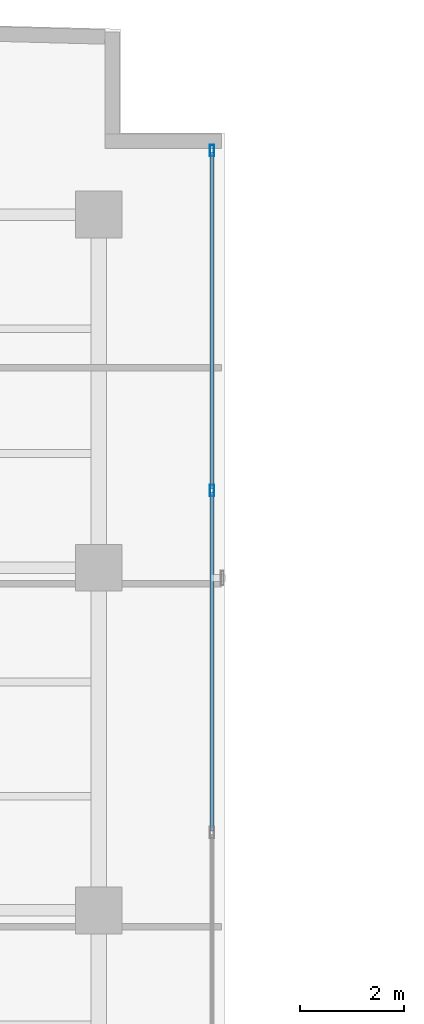
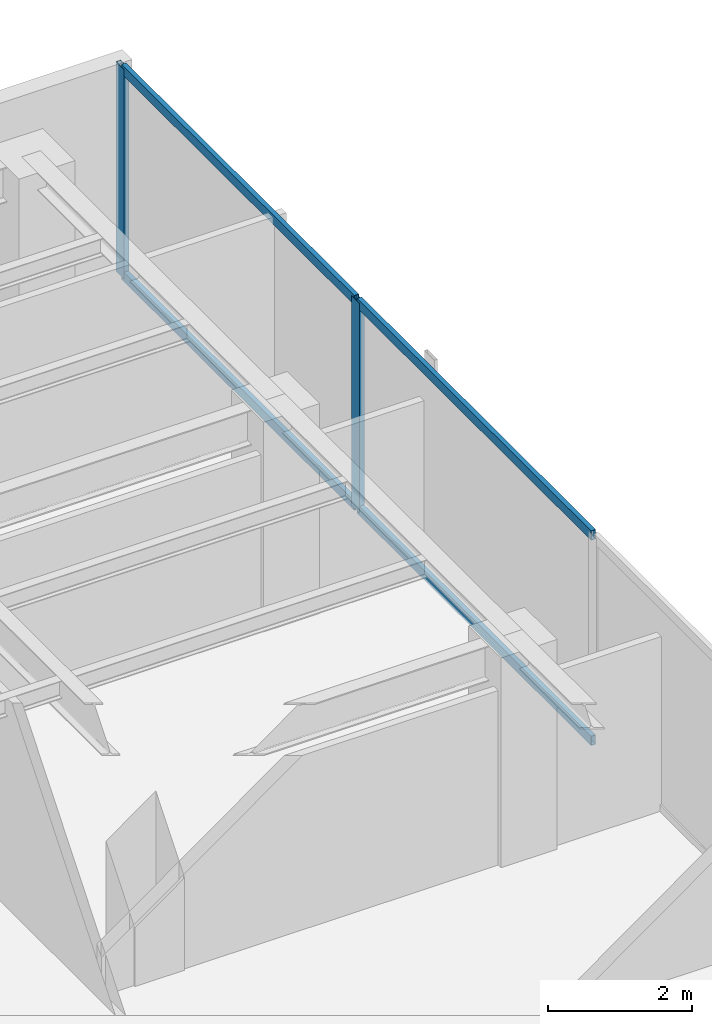
# One storey, part 15 of 22: 6 members, 1 element without a shape of its own.
"""IFC4 building model written with IfcOpenShell, lengths in metres."""

from ifc_helpers import new_model, si_unit, direction, frame, origin, origin_with_axes, origin_2d, place, context, subcontext, project, spatial, hollow_rectangle, extrude, source, transform, mapped, material, layer, layer_set, material_profile, profile_set, type_object, element, aggregate, save


model = new_model("IFC4")

# Units and contexts
model_context = context("Model", 3, precision=1e-05, world=origin(), true_north=direction((0.0, 1.0)))
body_context = subcontext(model_context, "Body", "Model", "MODEL_VIEW")
ifc_project = project(units=[si_unit("LENGTHUNIT", "METRE"), si_unit("AREAUNIT", "SQUARE_METRE"), si_unit("VOLUMEUNIT", "CUBIC_METRE"), si_unit("PLANEANGLEUNIT", "RADIAN"), si_unit("MASSUNIT", "GRAM", prefix="KILO")], contexts=[model_context])

# Site, building, storey
site_placement = place(None, origin())
site = spatial("IfcSite", under=ifc_project, at=site_placement, CompositionType="ELEMENT")
building_placement = place(site_placement, origin())
building = spatial("IfcBuilding", under=site, at=building_placement, Name="Kolvaren Waterfront Exchange", CompositionType="ELEMENT")
storey_placement = place(building_placement, frame((0.0, 0.0, 327.39990234375)))
storey = spatial("IfcBuildingStorey", under=building, at=storey_placement, Name="L84", CompositionType="ELEMENT", Elevation=327.39990234375)

# Curtain wall, members
ifc_material_1 = material(Name="Anodised bronze aluminium 6063-T6", Category="aluminium")
ifc_layer = layer(ifc_material_1, 0.219970703125, Name="Anodised bronze aluminium 6063-T6")
ifc_layer_set = layer_set([ifc_layer], Name="Anodised bronze aluminium 6063-T6")
curtain_wall_type = type_object("IfcCurtainWallType", Name="ARC-CW-SYS1", PredefinedType="USERDEFINED", material=ifc_layer_set)
curtain_wall_placement = place(storey_placement, origin())
curtain_wall = element("IfcCurtainWall", 1, at=curtain_wall_placement, inside=storey, type_object=curtain_wall_type, Name="L84 stick curtain wall CW1 (CW-L84-NE)", ObjectType="STICK CURTAIN WALL", PredefinedType="USERDEFINED")
ifc_material_2 = material(Name="Anodised aluminium 6063-T6", Category="aluminium")
ifc_material_profile_1 = material_profile(ifc_material_2, hollow_rectangle(XDim=0.080078125, YDim=0.219970703125, WallThickness=0.0048828125, at=origin_2d()), Name="ALU-MUL-220x80x5")
ifc_profile_set_1 = profile_set([ifc_material_profile_1], Name="Anodised aluminium 6063-T6")
member_type_1 = type_object("IfcMemberType", Name="ARC-CWM-220", PredefinedType="MULLION", material=ifc_profile_set_1)
shared_shape_1 = source(origin_with_axes(), body_context, "Body", "SweptSolid", [
    extrude(hollow_rectangle(XDim=0.080078125, YDim=0.219970703125, WallThickness=0.0048828125, at=origin_2d()), origin(), (0.0, 0.0, 1.0), 3.56005859375),
])
member_1_placement = place(storey_placement, frame((20.981201171875, 39.2861328125, 0.0), z_axis=(0.0, 0.0, 1.0), x_axis=(-1.0, 0.0, 0.0)))
member_1 = element("IfcMember", 2, at=member_1_placement, type_object=member_type_1, Name="CW1 mullion 3", PredefinedType="MULLION", context=body_context, shape_type="MappedRepresentation", body=[
    mapped(shared_shape_1, transform((0.0, 0.0, 0.0), x_axis=(1.0, 0.0, 0.0), y_axis=(0.0, 1.0, 0.0), z_axis=(0.0, 0.0, 1.0), scale=1.0)),
])
member_2_placement = place(storey_placement, frame((20.981201171875, 45.833740234375, 0.0), z_axis=(0.0, 0.0, 1.0), x_axis=(-1.0, 0.0, 0.0)))
member_2 = element("IfcMember", 3, at=member_2_placement, type_object=member_type_1, Name="CW1 mullion 4", PredefinedType="MULLION", context=body_context, shape_type="MappedRepresentation", body=[
    mapped(shared_shape_1, transform((0.0, 0.0, 0.0), x_axis=(1.0, 0.0, 0.0), y_axis=(0.0, 1.0, 0.0), z_axis=(0.0, 0.0, 1.0), scale=1.0)),
])
ifc_material_profile_2 = material_profile(ifc_material_2, hollow_rectangle(XDim=0.074951171875, YDim=0.159912109375, WallThickness=0.00439453125, at=origin_2d()), Name="ALU-TRN-160x75x4.5")
ifc_profile_set_2 = profile_set([ifc_material_profile_2], Name="Anodised aluminium 6063-T6")
member_type_2 = type_object("IfcMemberType", Name="ARC-CWT-160", PredefinedType="USERDEFINED", material=ifc_profile_set_2)
shared_shape_2 = source(origin_with_axes(), body_context, "Body", "SweptSolid", [
    extrude(hollow_rectangle(XDim=0.074951171875, YDim=0.159912109375, WallThickness=0.00439453125, at=origin_2d()), origin(), (0.0, 0.0, 1.0), 6.467529296875),
])
member_3_placement = place(storey_placement, frame((20.981201171875, 39.326171875, 0.03759765625), z_axis=(0.0, 1.0, 0.0), x_axis=(-1.0, 0.0, 0.0)))
member_3 = element("IfcMember", 4, at=member_3_placement, type_object=member_type_2, Name="CW1 transom 3.1", ObjectType="TRANSOM", PredefinedType="USERDEFINED", context=body_context, shape_type="MappedRepresentation", body=[
    mapped(shared_shape_2, transform((0.0, 0.0, 0.0), x_axis=(1.0, 0.0, 0.0), y_axis=(0.0, 1.0, 0.0), z_axis=(0.0, 0.0, 1.0), scale=1.0)),
])
member_4_placement = place(storey_placement, frame((20.981201171875, 39.326171875, 3.522705078125), z_axis=(0.0, 1.0, 0.0), x_axis=(-1.0, 0.0, 0.0)))
member_4 = element("IfcMember", 5, at=member_4_placement, type_object=member_type_2, Name="CW1 transom 3.2", ObjectType="TRANSOM", PredefinedType="USERDEFINED", context=body_context, shape_type="MappedRepresentation", body=[
    mapped(shared_shape_2, transform((0.0, 0.0, 0.0), x_axis=(1.0, 0.0, 0.0), y_axis=(0.0, 1.0, 0.0), z_axis=(0.0, 0.0, 1.0), scale=1.0)),
])
shared_shape_3 = source(origin_with_axes(), body_context, "Body", "SweptSolid", [
    extrude(hollow_rectangle(XDim=0.074951171875, YDim=0.159912109375, WallThickness=0.00439453125, at=origin_2d()), origin(), (0.0, 0.0, 1.0), 6.507568359375),
])
member_5_placement = place(storey_placement, frame((20.981201171875, 32.738525390625, 0.03759765625), z_axis=(0.0, 1.0, 0.0), x_axis=(-1.0, 0.0, 0.0)))
member_5 = element("IfcMember", 6, at=member_5_placement, type_object=member_type_2, Name="CW1 transom 2.1", ObjectType="TRANSOM", PredefinedType="USERDEFINED", context=body_context, shape_type="MappedRepresentation", body=[
    mapped(shared_shape_3, transform((0.0, 0.0, 0.0), x_axis=(1.0, 0.0, 0.0), y_axis=(0.0, 1.0, 0.0), z_axis=(0.0, 0.0, 1.0), scale=1.0)),
])
member_6_placement = place(storey_placement, frame((20.981201171875, 32.738525390625, 3.522705078125), z_axis=(0.0, 1.0, 0.0), x_axis=(-1.0, 0.0, 0.0)))
member_6 = element("IfcMember", 7, at=member_6_placement, type_object=member_type_2, Name="CW1 transom 2.2", ObjectType="TRANSOM", PredefinedType="USERDEFINED", context=body_context, shape_type="MappedRepresentation", body=[
    mapped(shared_shape_3, transform((0.0, 0.0, 0.0), x_axis=(1.0, 0.0, 0.0), y_axis=(0.0, 1.0, 0.0), z_axis=(0.0, 0.0, 1.0), scale=1.0)),
])
aggregate(curtain_wall, [member_1, member_2, member_5, member_6, member_3, member_4])

save(model, "model.ifc")
